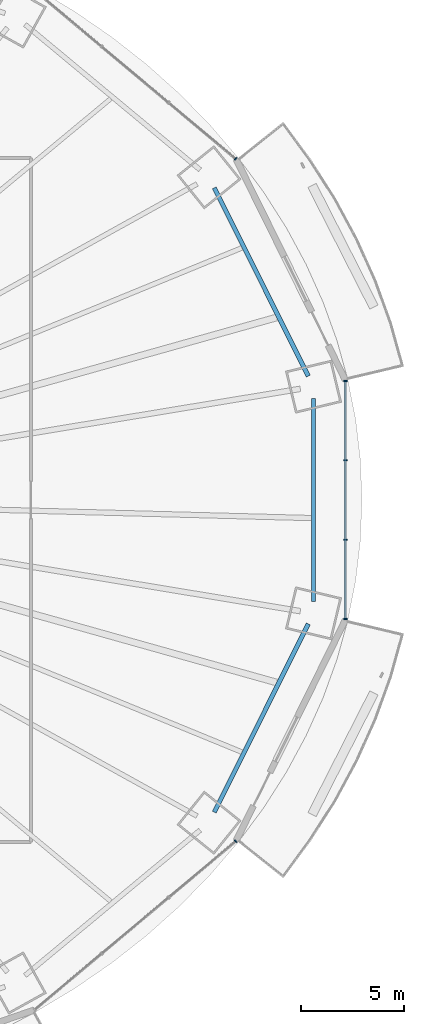
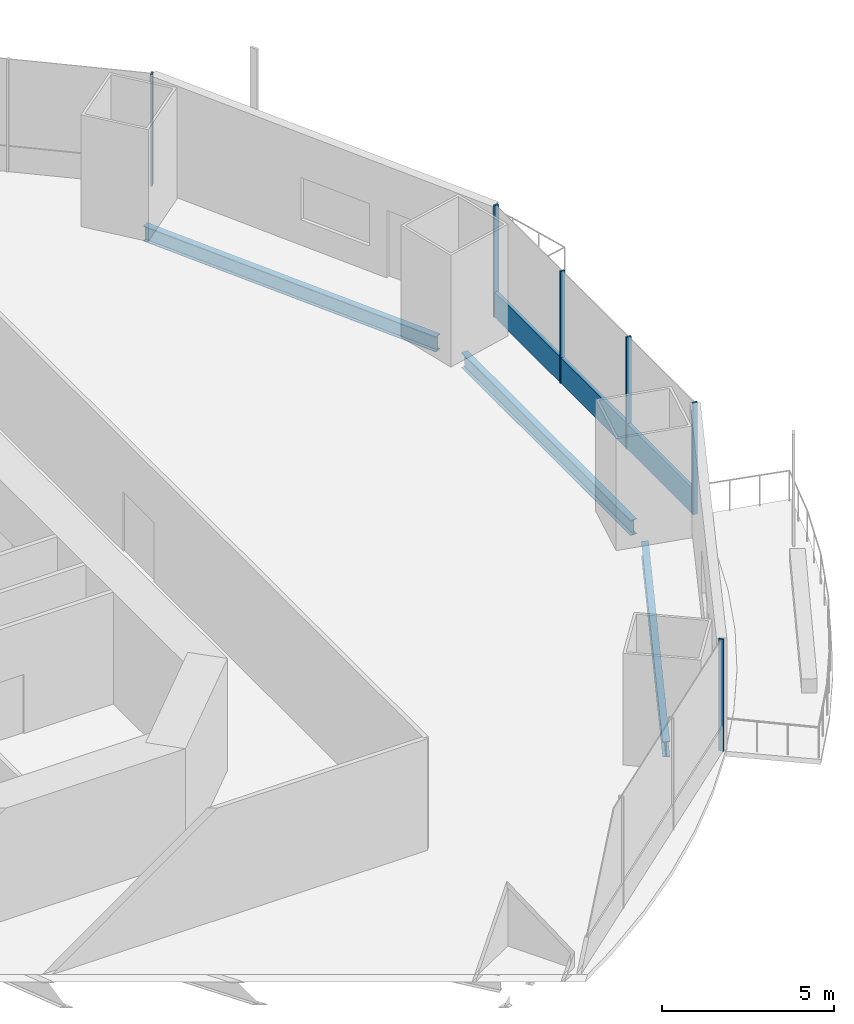
# One storey, part 11 of 22: 7 members, 3 beams, 3 elements without a shape of their own.
"""IFC4 building model written with IfcOpenShell, lengths in metres."""

from ifc_helpers import new_model, si_unit, direction, frame, origin, origin_2d, place, context, subcontext, project, spatial, rectangle, i_section, extrude, material, material_profile, profile_set, type_object, element, aggregate, save


model = new_model("IFC4")

# Units and contexts
model_context = context("Model", 3, precision=1e-05, world=origin(), true_north=direction((0.0, 1.0)))
body_context = subcontext(model_context, "Body", "Model", "MODEL_VIEW")
ifc_project = project(units=[si_unit("LENGTHUNIT", "METRE"), si_unit("AREAUNIT", "SQUARE_METRE"), si_unit("VOLUMEUNIT", "CUBIC_METRE"), si_unit("PLANEANGLEUNIT", "RADIAN"), si_unit("MASSUNIT", "GRAM", prefix="KILO")], contexts=[model_context])

# Site, building, storey
site_placement = place(None, origin())
site = spatial("IfcSite", under=ifc_project, at=site_placement, CompositionType="ELEMENT")
building_placement = place(site_placement, origin())
building = spatial("IfcBuilding", under=site, at=building_placement, Name="Marenthal Gate Tower", CompositionType="ELEMENT")
storey_placement = place(building_placement, frame((0.0, 0.0, 74.5)))
storey = spatial("IfcBuildingStorey", under=building, at=storey_placement, Name="L14", CompositionType="ELEMENT", Elevation=74.5)

# Curtain wall, member
ifc_material_1 = material(Name="Aluminium and glass", Category="aluminium")
curtain_wall_type = type_object("IfcCurtainWallType", Name="Curtain wall typical low", PredefinedType="NOTDEFINED", material=ifc_material_1)
curtain_wall_1_placement = place(storey_placement, origin())
curtain_wall_1 = element("IfcCurtainWall", 1, at=curtain_wall_1_placement, inside=storey, type_object=curtain_wall_type, Name="Curtain wall L14 bay 2", PredefinedType="NOTDEFINED")
ifc_material_2 = material(Name="Aluminium", Category="aluminium")
ifc_material_profile_1 = material_profile(ifc_material_2, rectangle(XDim=0.159912109375, YDim=0.06005859375, at=origin_2d()), Name="60x160 aluminium mullion")
ifc_profile_set_1 = profile_set([ifc_material_profile_1], Name="Aluminium")
member_type_1 = type_object("IfcMemberType", Name="Mullion 60x160 typical low", PredefinedType="MULLION", material=ifc_profile_set_1)
member_1_placement = place(storey_placement, frame((29.5380859375, 16.56640625, 0.0), z_axis=(0.0, 0.0, 1.0), x_axis=(-0.642176178992, -0.76655707885, 0.0)))
member_1 = element("IfcMember", 2, at=member_1_placement, type_object=member_type_1, Name="Mullion L14 bay 2.1", PredefinedType="MULLION", context=body_context, shape_type="SweptSolid", body=[
    extrude(rectangle(XDim=0.159912109375, YDim=0.06005859375, at=origin_2d()), origin(), (0.0, 0.0, 1.0), 3.969970703125),
])
aggregate(curtain_wall_1, [member_1])

curtain_wall_2_placement = place(storey_placement, origin())
curtain_wall_2 = element("IfcCurtainWall", 3, at=curtain_wall_2_placement, inside=storey, type_object=curtain_wall_type, Name="Curtain wall L14 bay 14", PredefinedType="NOTDEFINED")
member_2_placement = place(storey_placement, frame((29.538330078125, -16.56640625, 0.0), z_axis=(0.0, 0.0, 1.0), x_axis=(-0.642176178992, 0.76655707885, 0.0)))
member_2 = element("IfcMember", 4, at=member_2_placement, type_object=member_type_1, Name="Mullion L14 bay 14.4", PredefinedType="MULLION", context=body_context, shape_type="SweptSolid", body=[
    extrude(rectangle(XDim=0.159912109375, YDim=0.06005859375, at=origin_2d()), origin(), (0.0, 0.0, 1.0), 3.969970703125),
])
aggregate(curtain_wall_2, [member_2])

# Curtain wall, members
curtain_wall_3_placement = place(storey_placement, origin())
curtain_wall_3 = element("IfcCurtainWall", 5, at=curtain_wall_3_placement, inside=storey, type_object=curtain_wall_type, Name="Curtain wall L14 bay 16", PredefinedType="NOTDEFINED")
member_3_placement = place(storey_placement, frame((34.869873046875, -5.780517578125, 0.0), z_axis=(0.0, 0.0, 1.0), x_axis=(-1.0, 0.0, 0.0)))
member_3 = element("IfcMember", 6, at=member_3_placement, type_object=member_type_1, Name="Mullion L14 bay 16.1", PredefinedType="MULLION", context=body_context, shape_type="SweptSolid", body=[
    extrude(rectangle(XDim=0.159912109375, YDim=0.06005859375, at=origin_2d()), origin(), (0.0, 0.0, 1.0), 3.969970703125),
])
member_4_placement = place(storey_placement, frame((34.869873046875, -1.927001953125, 0.0), z_axis=(0.0, 0.0, 1.0), x_axis=(-1.0, 0.0, 0.0)))
member_4 = element("IfcMember", 7, at=member_4_placement, type_object=member_type_1, Name="Mullion L14 bay 16.2", PredefinedType="MULLION", context=body_context, shape_type="SweptSolid", body=[
    extrude(rectangle(XDim=0.159912109375, YDim=0.06005859375, at=origin_2d()), origin(), (0.0, 0.0, 1.0), 3.969970703125),
])
member_5_placement = place(storey_placement, frame((34.869873046875, 1.927001953125, 0.0), z_axis=(0.0, 0.0, 1.0), x_axis=(-1.0, 0.0, 0.0)))
member_5 = element("IfcMember", 8, at=member_5_placement, type_object=member_type_1, Name="Mullion L14 bay 16.3", PredefinedType="MULLION", context=body_context, shape_type="SweptSolid", body=[
    extrude(rectangle(XDim=0.159912109375, YDim=0.06005859375, at=origin_2d()), origin(), (0.0, 0.0, 1.0), 3.969970703125),
])
member_6_placement = place(storey_placement, frame((34.869873046875, 5.780517578125, 0.0), z_axis=(0.0, 0.0, 1.0), x_axis=(-1.0, 0.0, 0.0)))
member_6 = element("IfcMember", 9, at=member_6_placement, type_object=member_type_1, Name="Mullion L14 bay 16.4", PredefinedType="MULLION", context=body_context, shape_type="SweptSolid", body=[
    extrude(rectangle(XDim=0.159912109375, YDim=0.06005859375, at=origin_2d()), origin(), (0.0, 0.0, 1.0), 3.969970703125),
])
ifc_material_3 = material(Name="Aluminium", Category="aluminium")
ifc_material_profile_2 = material_profile(ifc_material_3, rectangle(XDim=0.1201171875, YDim=0.89990234375, at=origin_2d()), Name="120x900 aluminium transom")
ifc_profile_set_2 = profile_set([ifc_material_profile_2], Name="Aluminium")
member_type_2 = type_object("IfcMemberType", Name="Transom 120x900 typical low", PredefinedType="USERDEFINED", material=ifc_profile_set_2)
member_7_placement = place(storey_placement, frame((34.869873046875, -5.75048828125, 0.449951171875), z_axis=(0.0, 1.0, 0.0), x_axis=(-1.0, 0.0, 0.0)))
member_7 = element("IfcMember", 10, at=member_7_placement, type_object=member_type_2, Name="Transom L14 bay 16", ObjectType="TRANSOM", PredefinedType="USERDEFINED", context=body_context, shape_type="SweptSolid", body=[
    extrude(rectangle(XDim=0.1201171875, YDim=0.89990234375, at=origin_2d()), origin(), (0.0, 0.0, 1.0), 11.5009765625),
])
aggregate(curtain_wall_3, [member_3, member_4, member_5, member_6, member_7])

# Beams
ifc_material_4 = material(Name="Steel S355", Category="steel")
ifc_material_profile_3 = material_profile(ifc_material_4, i_section(OverallWidth=0.2119140625, OverallDepth=0.5439453125, WebThickness=0.01318359375, FlangeThickness=0.021240234375, FilletRadius=0.0126953125, at=origin_2d()), Name="W530X123")
ifc_profile_set_3 = profile_set([ifc_material_profile_3], Name="Steel S355")
beam_type = type_object("IfcBeamType", Name="W530X123 beam", PredefinedType="BEAM", material=ifc_profile_set_3)
for number, where, z_axis, x_axis, name in (
    (11, (33.062255859375, 6.019287109375, -0.451904296875), (-0.446448228661, 0.894809465264, 0.0), (-0.894809465264, -0.446448228661, 0.0), "BM-L14-41"),
    (12, (28.504150390625, -15.155029296875, -0.451904296875), (0.446448228661, 0.894809465264, 0.0), (-0.894809465264, 0.446448228661, 0.0), "BM-L14-55"),
):
    element("IfcBeam", number, at=place(storey_placement, frame(where, z_axis=z_axis, x_axis=x_axis)), inside=storey, type_object=beam_type, Name=name, PredefinedType="BEAM", context=body_context, shape_type="SweptSolid", body=[
        extrude(i_section(OverallWidth=0.2119140625, OverallDepth=0.5439453125, WebThickness=0.01318359375, FlangeThickness=0.021240234375, FilletRadius=0.0126953125, at=origin_2d()), origin(), (0.0, 0.0, 1.0), 10.209716796875),
    ])
beam_placement = place(storey_placement, frame((33.3203125, -4.922607421875, -0.451904296875), z_axis=(0.0, 1.0, 0.0), x_axis=(-1.0, 0.0, 0.0)))
element("IfcBeam", 13, at=beam_placement, inside=storey, type_object=beam_type, Name="BM-L14-56", PredefinedType="BEAM", context=body_context, shape_type="SweptSolid", body=[
    extrude(i_section(OverallWidth=0.2119140625, OverallDepth=0.5439453125, WebThickness=0.01318359375, FlangeThickness=0.021240234375, FilletRadius=0.0126953125, at=origin_2d()), origin(), (0.0, 0.0, 1.0), 9.84521484375),
])

save(model, "model.ifc")
